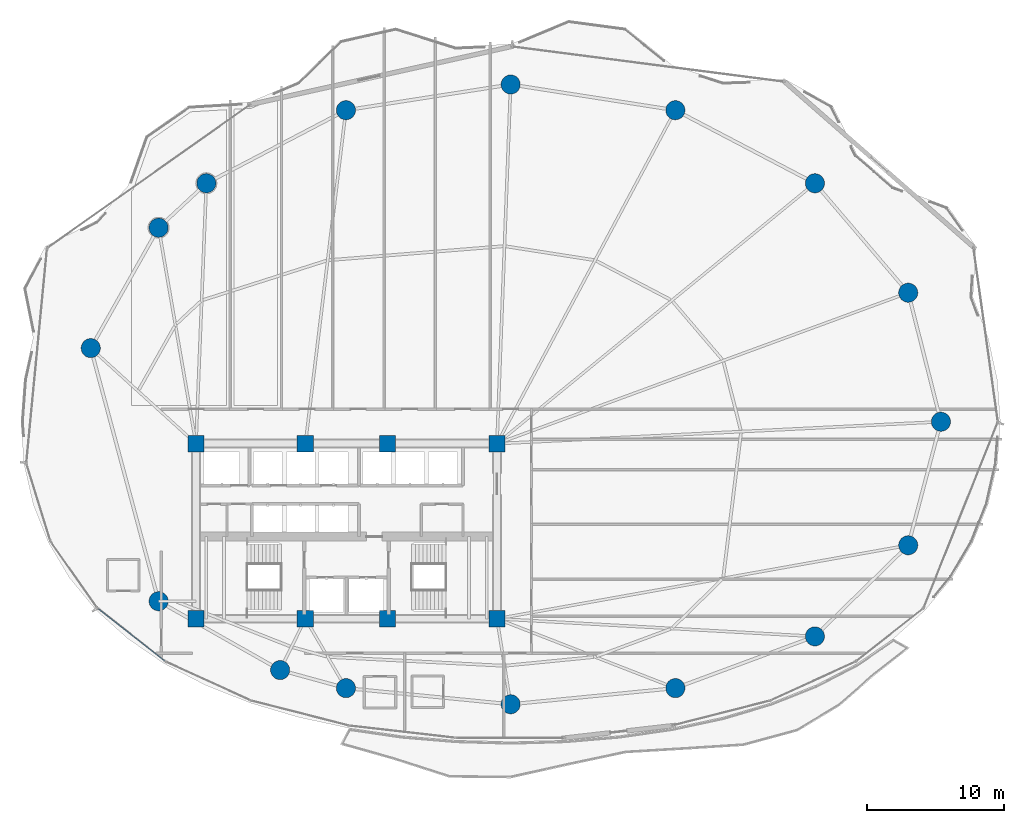
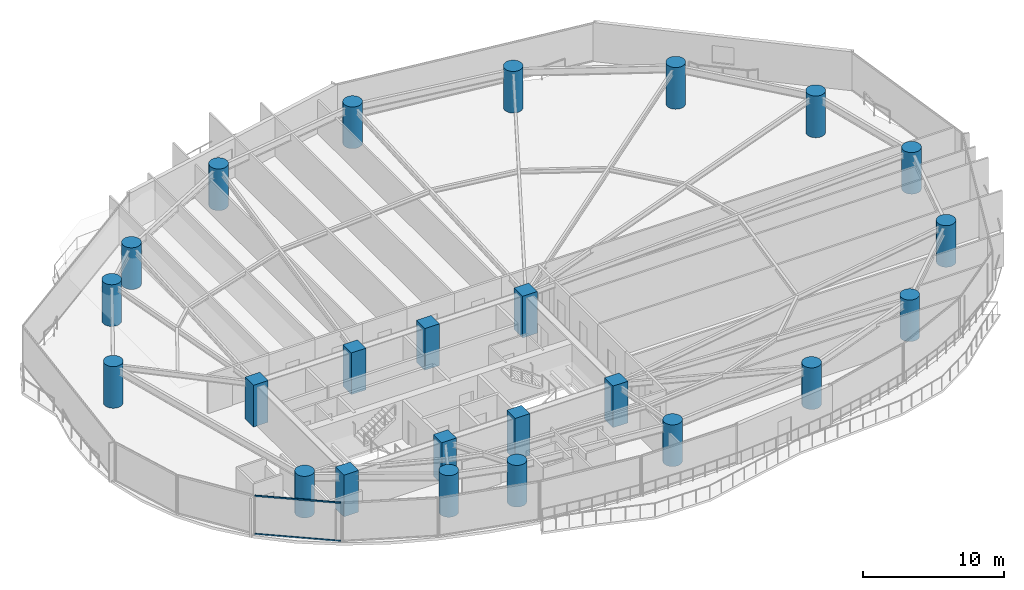
# One storey, part 1 of 32: 24 columns, 2 members, 1 element without a shape of its own.
"""IFC4 building model written with IfcOpenShell, lengths in metres."""

from ifc_helpers import new_model, si_unit, direction, frame, origin, origin_2d, place, context, subcontext, project, spatial, rectangle, hollow_rectangle, circle, extrude, material, layer, layer_set, material_profile, profile_set, type_object, element, aggregate, save


model = new_model("IFC4")

# Units and contexts
model_context = context("Model", 3, precision=1e-05, world=origin(), true_north=direction((0.0, 1.0)))
body_context = subcontext(model_context, "Body", "Model", "MODEL_VIEW")
ifc_project = project(units=[si_unit("LENGTHUNIT", "METRE"), si_unit("AREAUNIT", "SQUARE_METRE"), si_unit("VOLUMEUNIT", "CUBIC_METRE"), si_unit("PLANEANGLEUNIT", "RADIAN"), si_unit("MASSUNIT", "GRAM", prefix="KILO")], contexts=[model_context])

# Site, building, storey
site_placement = place(None, origin())
site = spatial("IfcSite", under=ifc_project, at=site_placement, CompositionType="ELEMENT")
building_placement = place(site_placement, origin())
building = spatial("IfcBuilding", under=site, at=building_placement, Name="Kazevale Care Tower and Concert Hall", CompositionType="ELEMENT")
storey_placement = place(building_placement, frame((0.0, 0.0, 38.39990234375)))
storey = spatial("IfcBuildingStorey", under=building, at=storey_placement, Name="L09", CompositionType="ELEMENT", Elevation=38.39990234375)

# Columns
ifc_material_1 = material(Name="Concrete C70", Category="concrete")
ifc_material_profile_1 = material_profile(ifc_material_1, rectangle(XDim=1.199951171875, YDim=1.199951171875, at=origin_2d()), Name="RC-SQ1200")
ifc_profile_set_1 = profile_set([ifc_material_profile_1], Name="Concrete C70")
column_type_1 = type_object("IfcColumnType", Name="Core Column SQ1200 C70", PredefinedType="COLUMN", material=ifc_profile_set_1)
for number, where, z_axis, x_axis, name in (
    (1, (22.0, 23.60009765625, 0.0), (0.0, 0.0, 1.0), (1.0, 0.0, 0.0), "col:L09:CC-01"),
    (2, (30.0, 23.60009765625, 0.0), (0.0, 0.0, 1.0), (1.0, 0.0, 0.0), "col:L09:CC-02"),
    (3, (36.0, 23.60009765625, 0.0), (0.0, 0.0, 1.0), (1.0, 0.0, 0.0), "col:L09:CC-03"),
    (4, (44.0, 23.60009765625, 0.0), (0.0, 0.0, 1.0), (1.0, 0.0, 0.0), "col:L09:CC-04"),
    (5, (44.0, 36.39990234375, 0.0), (0.0, 0.0, 1.0), (1.0, 0.0, 0.0), "col:L09:CC-05"),
    (6, (36.0, 36.39990234375, 0.0), (0.0, 0.0, 1.0), (1.0, 0.0, 0.0), "col:L09:CC-06"),
    (7, (30.0, 36.39990234375, 0.0), (0.0, 0.0, 1.0), (1.0, 0.0, 0.0), "col:L09:CC-07"),
    (8, (22.0, 36.39990234375, 0.0), (0.0, 0.0, 1.0), (1.0, 0.0, 0.0), "col:L09:CC-08"),
):
    element("IfcColumn", number, at=place(storey_placement, frame(where, z_axis=z_axis, x_axis=x_axis)), inside=storey, type_object=column_type_1, Name=name, PredefinedType="COLUMN", context=body_context, shape_type="SweptSolid", body=[
        extrude(rectangle(XDim=1.199951171875, YDim=1.199951171875, at=origin_2d()), origin(), (0.0, 0.0, 1.0), 3.60009765625),
    ])
ifc_material_profile_2 = material_profile(ifc_material_1, circle(Radius=0.699951171875, at=origin_2d()), Name="RC-CIR1400")
ifc_profile_set_2 = profile_set([ifc_material_profile_2], Name="Concrete C70")
column_type_2 = type_object("IfcColumnType", Name="Perimeter Column CIR1400 C70", PredefinedType="COLUMN", material=ifc_profile_set_2)
for number, where, z_axis, x_axis, name in (
    (9, (76.449951171875, 38.0, 0.0), (0.0, 0.0, 1.0), (1.0, 0.0, 0.0), "col:L09:PC-01"),
    (10, (74.06005859375, 47.429931640625, 0.0), (0.0, 0.0, 1.0), (1.0, 0.0, 0.0), "col:L09:PC-02"),
    (11, (67.239990234375, 55.429931640625, 0.0), (0.0, 0.0, 1.0), (1.0, 0.0, 0.0), "col:L09:PC-03"),
    (12, (57.0400390625, 60.77001953125, 0.0), (0.0, 0.0, 1.0), (1.0, 0.0, 0.0), "col:L09:PC-04"),
    (13, (45.0, 62.64990234375, 0.0), (0.0, 0.0, 1.0), (1.0, 0.0, 0.0), "col:L09:PC-05"),
    (14, (32.9599609375, 60.77001953125, 0.0), (0.0, 0.0, 1.0), (1.0, 0.0, 0.0), "col:L09:PC-06"),
    (15, (22.760009765625, 55.429931640625, 0.0), (0.0, 0.0, 1.0), (1.0, 0.0, 0.0), "col:L09:PC-07"),
    (16, (19.27001953125, 52.179931640625, 0.0), (0.0, 0.0, 1.0), (1.0, 0.0, 0.0), "col:L09:PC-08"),
    (17, (14.31005859375, 43.3798828125, 0.0), (0.0, 0.0, 1.0), (1.0, 0.0, 0.0), "col:L09:PC-09"),
    (18, (19.27001953125, 24.8798828125, 0.0), (0.0, 0.0, 1.0), (1.0, 0.0, 0.0), "col:L09:PC-10"),
    (19, (28.14990234375, 19.85009765625, 0.0), (0.0, 0.0, 1.0), (1.0, 0.0, 0.0), "col:L09:PC-11"),
    (20, (32.9599609375, 18.530029296875, 0.0), (0.0, 0.0, 1.0), (1.0, 0.0, 0.0), "col:L09:PC-12"),
    (21, (45.0, 17.35009765625, 0.0), (0.0, 0.0, 1.0), (1.0, 0.0, 0.0), "col:L09:PC-13"),
    (22, (57.0400390625, 18.530029296875, 0.0), (0.0, 0.0, 1.0), (1.0, 0.0, 0.0), "col:L09:PC-14"),
    (23, (67.239990234375, 22.31005859375, 0.0), (0.0, 0.0, 1.0), (1.0, 0.0, 0.0), "col:L09:PC-15"),
    (24, (74.06005859375, 28.969970703125, 0.0), (0.0, 0.0, 1.0), (1.0, 0.0, 0.0), "col:L09:PC-16"),
):
    element("IfcColumn", number, at=place(storey_placement, frame(where, z_axis=z_axis, x_axis=x_axis)), inside=storey, type_object=column_type_2, Name=name, PredefinedType="COLUMN", context=body_context, shape_type="SweptSolid", body=[
        extrude(circle(Radius=0.699951171875, at=origin_2d()), origin(), (0.0, 0.0, 1.0), 3.60009765625),
    ])

# Curtain wall, members
ifc_material_2 = material(Name="Aluminium 6063-T6 and Low-E Glass", Category="aluminium")
ifc_layer = layer(ifc_material_2, 0.179931640625)
ifc_layer_set = layer_set([ifc_layer], Name="Aluminium 6063-T6 and Low-E Glass")
curtain_wall_type = type_object("IfcCurtainWallType", Name="Sheltered Concave Balcony Curtain Wall CW-5", PredefinedType="NOTDEFINED", material=ifc_layer_set)
curtain_wall_placement = place(storey_placement, origin())
curtain_wall = element("IfcCurtainWall", 25, at=curtain_wall_placement, inside=storey, type_object=curtain_wall_type, Name="cw:L09:f10", PredefinedType="NOTDEFINED")
ifc_material_3 = material(Name="Aluminium 6063-T6", Category="aluminium")
ifc_material_profile_3 = material_profile(ifc_material_3, hollow_rectangle(XDim=0.074951171875, YDim=0.1201171875, WallThickness=0.00390625, at=origin_2d()), Name="ALU75x120x4")
ifc_profile_set_3 = profile_set([ifc_material_profile_3], Name="Aluminium 6063-T6")
member_type = type_object("IfcMemberType", Name="CW-5 Transom ALU75x120x4", PredefinedType="USERDEFINED", material=ifc_profile_set_3)
member_1_placement = place(storey_placement, frame((19.718994140625, 20.513427734375, 0.03759765625), z_axis=(-0.78633897536, 0.617795286344, 0.0), x_axis=(-0.617795286344, -0.78633897536, 0.0)))
member_1 = element("IfcMember", 26, at=member_1_placement, type_object=member_type, Name="CW-5 transom 1.1", ObjectType="TRANSOM", PredefinedType="USERDEFINED", context=body_context, shape_type="SweptSolid", body=[
    extrude(hollow_rectangle(XDim=0.074951171875, YDim=0.1201171875, WallThickness=0.00390625, at=origin_2d()), origin(), (0.0, 0.0, 1.0), 6.15771484375),
])
member_2_placement = place(storey_placement, frame((19.718994140625, 20.513427734375, 3.322509765625), z_axis=(-0.78633897536, 0.617795286344, 0.0), x_axis=(-0.617795286344, -0.78633897536, 0.0)))
member_2 = element("IfcMember", 27, at=member_2_placement, type_object=member_type, Name="CW-5 transom 1.2", ObjectType="TRANSOM", PredefinedType="USERDEFINED", context=body_context, shape_type="SweptSolid", body=[
    extrude(hollow_rectangle(XDim=0.074951171875, YDim=0.1201171875, WallThickness=0.00390625, at=origin_2d()), origin(), (0.0, 0.0, 1.0), 6.15771484375),
])
aggregate(curtain_wall, [member_1, member_2])

save(model, "model.ifc")
